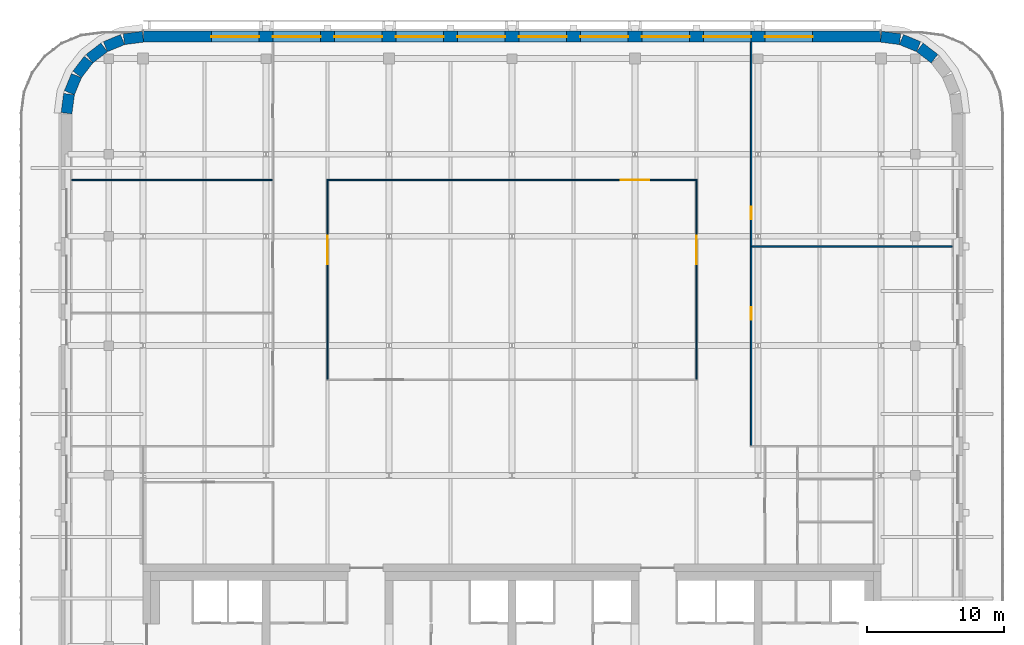
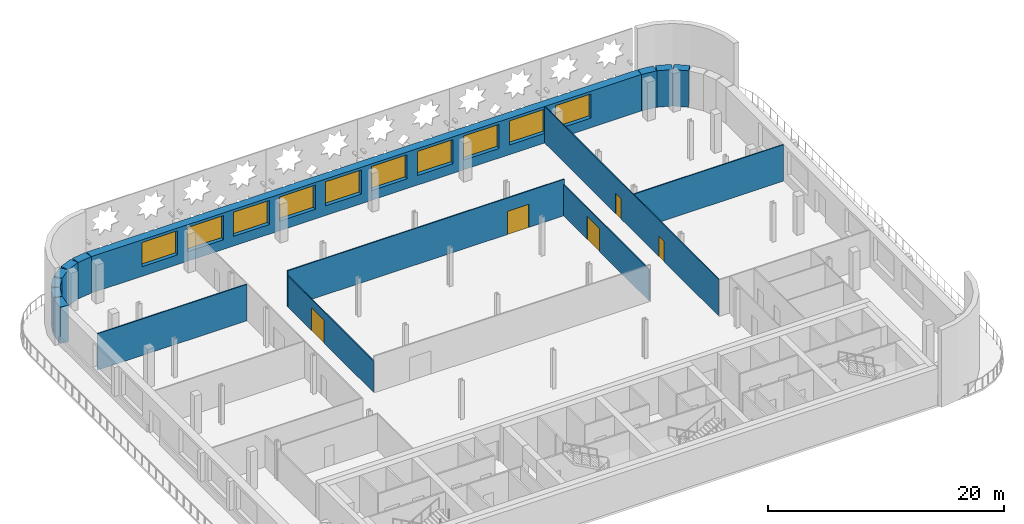
# One storey, part 10 of 15: 16 walls, 10 windows, 5 doors, 15 openings.
"""IFC4 building model written with IfcOpenShell, lengths in metres."""

from ifc_helpers import new_model, si_unit, direction, frame, frame_2d, origin, place, context, subcontext, project, spatial, rectangle, extrude, material, layer, layer_set, type_object, element, fill, save


model = new_model("IFC4")

# Units and contexts
model_context = context("Model", 3, precision=1e-05, world=origin(), true_north=direction((0.0, 1.0)))
body_context = subcontext(model_context, "Body", "Model", "MODEL_VIEW")
ifc_project = project(units=[si_unit("LENGTHUNIT", "METRE"), si_unit("AREAUNIT", "SQUARE_METRE"), si_unit("VOLUMEUNIT", "CUBIC_METRE"), si_unit("PLANEANGLEUNIT", "RADIAN"), si_unit("MASSUNIT", "GRAM", prefix="KILO")], contexts=[model_context])

# Site, building, storey
site_placement = place(None, origin())
site = spatial("IfcSite", under=ifc_project, at=site_placement, CompositionType="ELEMENT")
building_placement = place(site_placement, origin())
building = spatial("IfcBuilding", under=site, at=building_placement, Name="Zellij Exchange Tower", CompositionType="ELEMENT")
storey_placement = place(building_placement, frame((0.0, 0.0, 284.5)))
storey = spatial("IfcBuildingStorey", under=building, at=storey_placement, Name="L67", CompositionType="ELEMENT", Elevation=284.5)

# Walls
ifc_material_1 = material(Name="Precast concrete C40/50", Category="concrete")
ifc_layer_1 = layer(ifc_material_1, 0.800048828125)
ifc_layer_set_1 = layer_set([ifc_layer_1], Name="Precast concrete C40/50")
wall_type_1 = type_object("IfcWallType", Name="ENV-EW1 Precast stone-piered wall 800", PredefinedType="SOLIDWALL", material=ifc_layer_set_1)
wall_1_placement = place(storey_placement, frame((30.91552734375, 34.9892578125, 0.0), z_axis=(0.0, 0.0, 1.0), x_axis=(-0.793272915452, 0.608866226366, 0.0)))
element("IfcWall", 1, at=wall_1_placement, inside=storey, type_object=wall_type_1, Name="fac.L67.11", PredefinedType="SOLIDWALL", context=body_context, shape_type="SweptSolid", body=[
    extrude(rectangle(XDim=1.355712890625, YDim=0.800048828125, at=frame_2d((0.677734375, 0.0))), origin(), (0.0, 0.0, 1.0), 3.780029296875),
])
wall_2_placement = place(storey_placement, frame((29.74951171875, 35.866943359375, 0.0), z_axis=(0.0, 0.0, 1.0), x_axis=(-0.923847774587, 0.38276009378, 0.0)))
element("IfcWall", 2, at=wall_2_placement, inside=storey, type_object=wall_type_1, Name="fac.L67.12", PredefinedType="SOLIDWALL", context=body_context, shape_type="SweptSolid", body=[
    extrude(rectangle(XDim=1.35546875, YDim=0.800048828125, at=frame_2d((0.677734375, 0.0))), origin(), (0.0, 0.0, 1.0), 3.780029296875),
])
wall_3_placement = place(storey_placement, frame((28.396240234375, 36.412841796875, 0.0), z_axis=(0.0, 0.0, 1.0), x_axis=(-0.99144603414, 0.130517283865, 0.0)))
element("IfcWall", 3, at=wall_3_placement, inside=storey, type_object=wall_type_1, Name="fac.L67.13", PredefinedType="SOLIDWALL", context=body_context, shape_type="SweptSolid", body=[
    extrude(rectangle(XDim=1.408447265625, YDim=0.800048828125, at=frame_2d((0.7041015625, 0.0))), origin(), (0.0, 0.0, 1.0), 3.780029296875),
])

# Wall, openings, windows
wall_4_placement = place(storey_placement, frame((26.947509765625, 36.60009765625, 0.0), z_axis=(0.0, 0.0, 1.0), x_axis=(-1.0, 0.0, 0.0)))
wall_4 = element("IfcWall", 4, at=wall_4_placement, inside=storey, type_object=wall_type_1, Name="fac.L67.14", PredefinedType="SOLIDWALL", context=body_context, shape_type="SweptSolid", body=[
    extrude(rectangle(XDim=53.89501953125, YDim=0.800048828125, at=frame_2d((26.947509765625, 0.0))), origin(), (0.0, 0.0, 1.0), 3.780029296875),
])
opening_1_placement = place(wall_4_placement, frame((4.947509765625, 0.0, 1.0)))
opening_1 = element("IfcOpeningElement", 5, at=opening_1_placement, cuts=wall_4, Name="Opening FC2.06", PredefinedType="OPENING", context=body_context, shape_type="SweptSolid", body=[
    extrude(rectangle(XDim=3.5, YDim=2.5, at=frame_2d((1.75, 1.25))), frame((0.0, 0.412109375, 0.0), z_axis=(0.0, -1.0, 0.0), x_axis=(1.0, 0.0, 0.0)), (0.0, 0.0, 1.0), 0.823974609375),
])
opening_2_placement = place(wall_4_placement, frame((9.447509765625, 0.0, 1.0)))
opening_2 = element("IfcOpeningElement", 6, at=opening_2_placement, cuts=wall_4, Name="Opening FC2.07", PredefinedType="OPENING", context=body_context, shape_type="SweptSolid", body=[
    extrude(rectangle(XDim=3.5, YDim=2.5, at=frame_2d((1.75, 1.25))), frame((0.0, 0.412109375, 0.0), z_axis=(0.0, -1.0, 0.0), x_axis=(1.0, 0.0, 0.0)), (0.0, 0.0, 1.0), 0.823974609375),
])
opening_3_placement = place(wall_4_placement, frame((13.947509765625, 0.0, 1.0)))
opening_3 = element("IfcOpeningElement", 7, at=opening_3_placement, cuts=wall_4, Name="Opening FC2.08", PredefinedType="OPENING", context=body_context, shape_type="SweptSolid", body=[
    extrude(rectangle(XDim=3.5, YDim=2.5, at=frame_2d((1.75, 1.25))), frame((0.0, 0.412109375, 0.0), z_axis=(0.0, -1.0, 0.0), x_axis=(1.0, 0.0, 0.0)), (0.0, 0.0, 1.0), 0.823974609375),
])
opening_4_placement = place(wall_4_placement, frame((18.447509765625, 0.0, 1.0)))
opening_4 = element("IfcOpeningElement", 8, at=opening_4_placement, cuts=wall_4, Name="Opening FC2.09", PredefinedType="OPENING", context=body_context, shape_type="SweptSolid", body=[
    extrude(rectangle(XDim=3.5, YDim=2.5, at=frame_2d((1.75, 1.25))), frame((0.0, 0.412109375, 0.0), z_axis=(0.0, -1.0, 0.0), x_axis=(1.0, 0.0, 0.0)), (0.0, 0.0, 1.0), 0.823974609375),
])
opening_5_placement = place(wall_4_placement, frame((22.947509765625, 0.0, 1.0)))
opening_5 = element("IfcOpeningElement", 9, at=opening_5_placement, cuts=wall_4, Name="Opening FC2.10", PredefinedType="OPENING", context=body_context, shape_type="SweptSolid", body=[
    extrude(rectangle(XDim=3.5, YDim=2.5, at=frame_2d((1.75, 1.25))), frame((0.0, 0.412109375, 0.0), z_axis=(0.0, -1.0, 0.0), x_axis=(1.0, 0.0, 0.0)), (0.0, 0.0, 1.0), 0.823974609375),
])
opening_6_placement = place(wall_4_placement, frame((27.447509765625, 0.0, 1.0)))
opening_6 = element("IfcOpeningElement", 10, at=opening_6_placement, cuts=wall_4, Name="Opening FC2.11", PredefinedType="OPENING", context=body_context, shape_type="SweptSolid", body=[
    extrude(rectangle(XDim=3.5, YDim=2.5, at=frame_2d((1.75, 1.25))), frame((0.0, 0.412109375, 0.0), z_axis=(0.0, -1.0, 0.0), x_axis=(1.0, 0.0, 0.0)), (0.0, 0.0, 1.0), 0.823974609375),
])
opening_7_placement = place(wall_4_placement, frame((31.947509765625, 0.0, 1.0)))
opening_7 = element("IfcOpeningElement", 11, at=opening_7_placement, cuts=wall_4, Name="Opening FC2.12", PredefinedType="OPENING", context=body_context, shape_type="SweptSolid", body=[
    extrude(rectangle(XDim=3.5, YDim=2.5, at=frame_2d((1.75, 1.25))), frame((0.0, 0.412109375, 0.0), z_axis=(0.0, -1.0, 0.0), x_axis=(1.0, 0.0, 0.0)), (0.0, 0.0, 1.0), 0.823974609375),
])
opening_8_placement = place(wall_4_placement, frame((36.447509765625, 0.0, 1.0)))
opening_8 = element("IfcOpeningElement", 12, at=opening_8_placement, cuts=wall_4, Name="Opening FC2.13", PredefinedType="OPENING", context=body_context, shape_type="SweptSolid", body=[
    extrude(rectangle(XDim=3.5, YDim=2.5, at=frame_2d((1.75, 1.25))), frame((0.0, 0.412109375, 0.0), z_axis=(0.0, -1.0, 0.0), x_axis=(1.0, 0.0, 0.0)), (0.0, 0.0, 1.0), 0.823974609375),
])
opening_9_placement = place(wall_4_placement, frame((40.947509765625, 0.0, 1.0)))
opening_9 = element("IfcOpeningElement", 13, at=opening_9_placement, cuts=wall_4, Name="Opening FC2.14", PredefinedType="OPENING", context=body_context, shape_type="SweptSolid", body=[
    extrude(rectangle(XDim=3.5, YDim=2.5, at=frame_2d((1.75, 1.25))), frame((0.0, 0.412109375, 0.0), z_axis=(0.0, -1.0, 0.0), x_axis=(1.0, 0.0, 0.0)), (0.0, 0.0, 1.0), 0.823974609375),
])
opening_10_placement = place(wall_4_placement, frame((45.447509765625, 0.0, 1.0)))
opening_10 = element("IfcOpeningElement", 14, at=opening_10_placement, cuts=wall_4, Name="Opening FC2.15", PredefinedType="OPENING", context=body_context, shape_type="SweptSolid", body=[
    extrude(rectangle(XDim=3.5, YDim=2.5, at=frame_2d((1.75, 1.25))), frame((0.0, 0.412109375, 0.0), z_axis=(0.0, -1.0, 0.0), x_axis=(1.0, 0.0, 0.0)), (0.0, 0.0, 1.0), 0.823974609375),
])
ifc_material_2 = material(Name="Aluminium frame with insulating glass", Category="aluminium")
window_type = type_object("IfcWindowType", Name="ENV-W1 Window 3500x2500", PartitioningType="SINGLE_PANEL", PredefinedType="WINDOW", material=ifc_material_2)
window_1_placement = place(opening_1_placement, origin())
window_1 = element("IfcWindow", 15, at=window_1_placement, inside=storey, type_object=window_type, Name="Window FC2.06", OverallHeight=2.5, OverallWidth=3.5, PartitioningType="SINGLE_PANEL", PredefinedType="WINDOW", context=body_context, shape_type="SweptSolid", body=[
    extrude(rectangle(XDim=3.5, YDim=2.5, at=frame_2d((1.75, 1.25))), frame((0.0, 0.030029296875, 0.0), z_axis=(0.0, -1.0, 0.0), x_axis=(1.0, 0.0, 0.0)), (0.0, 0.0, 1.0), 0.06005859375),
])
fill(opening_1, window_1)
window_2_placement = place(opening_2_placement, origin())
window_2 = element("IfcWindow", 16, at=window_2_placement, inside=storey, type_object=window_type, Name="Window FC2.07", OverallHeight=2.5, OverallWidth=3.5, PartitioningType="SINGLE_PANEL", PredefinedType="WINDOW", context=body_context, shape_type="SweptSolid", body=[
    extrude(rectangle(XDim=3.5, YDim=2.5, at=frame_2d((1.75, 1.25))), frame((0.0, 0.030029296875, 0.0), z_axis=(0.0, -1.0, 0.0), x_axis=(1.0, 0.0, 0.0)), (0.0, 0.0, 1.0), 0.06005859375),
])
fill(opening_2, window_2)
window_3_placement = place(opening_3_placement, origin())
window_3 = element("IfcWindow", 17, at=window_3_placement, inside=storey, type_object=window_type, Name="Window FC2.08", OverallHeight=2.5, OverallWidth=3.5, PartitioningType="SINGLE_PANEL", PredefinedType="WINDOW", context=body_context, shape_type="SweptSolid", body=[
    extrude(rectangle(XDim=3.5, YDim=2.5, at=frame_2d((1.75, 1.25))), frame((0.0, 0.030029296875, 0.0), z_axis=(0.0, -1.0, 0.0), x_axis=(1.0, 0.0, 0.0)), (0.0, 0.0, 1.0), 0.06005859375),
])
fill(opening_3, window_3)
window_4_placement = place(opening_4_placement, origin())
window_4 = element("IfcWindow", 18, at=window_4_placement, inside=storey, type_object=window_type, Name="Window FC2.09", OverallHeight=2.5, OverallWidth=3.5, PartitioningType="SINGLE_PANEL", PredefinedType="WINDOW", context=body_context, shape_type="SweptSolid", body=[
    extrude(rectangle(XDim=3.5, YDim=2.5, at=frame_2d((1.75, 1.25))), frame((0.0, 0.030029296875, 0.0), z_axis=(0.0, -1.0, 0.0), x_axis=(1.0, 0.0, 0.0)), (0.0, 0.0, 1.0), 0.06005859375),
])
fill(opening_4, window_4)
window_5_placement = place(opening_5_placement, origin())
window_5 = element("IfcWindow", 19, at=window_5_placement, inside=storey, type_object=window_type, Name="Window FC2.10", OverallHeight=2.5, OverallWidth=3.5, PartitioningType="SINGLE_PANEL", PredefinedType="WINDOW", context=body_context, shape_type="SweptSolid", body=[
    extrude(rectangle(XDim=3.5, YDim=2.5, at=frame_2d((1.75, 1.25))), frame((0.0, 0.030029296875, 0.0), z_axis=(0.0, -1.0, 0.0), x_axis=(1.0, 0.0, 0.0)), (0.0, 0.0, 1.0), 0.06005859375),
])
fill(opening_5, window_5)
window_6_placement = place(opening_6_placement, origin())
window_6 = element("IfcWindow", 20, at=window_6_placement, inside=storey, type_object=window_type, Name="Window FC2.11", OverallHeight=2.5, OverallWidth=3.5, PartitioningType="SINGLE_PANEL", PredefinedType="WINDOW", context=body_context, shape_type="SweptSolid", body=[
    extrude(rectangle(XDim=3.5, YDim=2.5, at=frame_2d((1.75, 1.25))), frame((0.0, 0.030029296875, 0.0), z_axis=(0.0, -1.0, 0.0), x_axis=(1.0, 0.0, 0.0)), (0.0, 0.0, 1.0), 0.06005859375),
])
fill(opening_6, window_6)
window_7_placement = place(opening_7_placement, origin())
window_7 = element("IfcWindow", 21, at=window_7_placement, inside=storey, type_object=window_type, Name="Window FC2.12", OverallHeight=2.5, OverallWidth=3.5, PartitioningType="SINGLE_PANEL", PredefinedType="WINDOW", context=body_context, shape_type="SweptSolid", body=[
    extrude(rectangle(XDim=3.5, YDim=2.5, at=frame_2d((1.75, 1.25))), frame((0.0, 0.030029296875, 0.0), z_axis=(0.0, -1.0, 0.0), x_axis=(1.0, 0.0, 0.0)), (0.0, 0.0, 1.0), 0.06005859375),
])
fill(opening_7, window_7)
window_8_placement = place(opening_8_placement, origin())
window_8 = element("IfcWindow", 22, at=window_8_placement, inside=storey, type_object=window_type, Name="Window FC2.13", OverallHeight=2.5, OverallWidth=3.5, PartitioningType="SINGLE_PANEL", PredefinedType="WINDOW", context=body_context, shape_type="SweptSolid", body=[
    extrude(rectangle(XDim=3.5, YDim=2.5, at=frame_2d((1.75, 1.25))), frame((0.0, 0.030029296875, 0.0), z_axis=(0.0, -1.0, 0.0), x_axis=(1.0, 0.0, 0.0)), (0.0, 0.0, 1.0), 0.06005859375),
])
fill(opening_8, window_8)
window_9_placement = place(opening_9_placement, origin())
window_9 = element("IfcWindow", 23, at=window_9_placement, inside=storey, type_object=window_type, Name="Window FC2.14", OverallHeight=2.5, OverallWidth=3.5, PartitioningType="SINGLE_PANEL", PredefinedType="WINDOW", context=body_context, shape_type="SweptSolid", body=[
    extrude(rectangle(XDim=3.5, YDim=2.5, at=frame_2d((1.75, 1.25))), frame((0.0, 0.030029296875, 0.0), z_axis=(0.0, -1.0, 0.0), x_axis=(1.0, 0.0, 0.0)), (0.0, 0.0, 1.0), 0.06005859375),
])
fill(opening_9, window_9)
window_10_placement = place(opening_10_placement, origin())
window_10 = element("IfcWindow", 24, at=window_10_placement, inside=storey, type_object=window_type, Name="Window FC2.15", OverallHeight=2.5, OverallWidth=3.5, PartitioningType="SINGLE_PANEL", PredefinedType="WINDOW", context=body_context, shape_type="SweptSolid", body=[
    extrude(rectangle(XDim=3.5, YDim=2.5, at=frame_2d((1.75, 1.25))), frame((0.0, 0.030029296875, 0.0), z_axis=(0.0, -1.0, 0.0), x_axis=(1.0, 0.0, 0.0)), (0.0, 0.0, 1.0), 0.06005859375),
])
fill(opening_10, window_10)

# Walls
wall_5_placement = place(storey_placement, frame((-26.999755859375, 36.5966796875, 0.0), z_axis=(0.0, 0.0, 1.0), x_axis=(-0.99144603414, -0.130517283865, 0.0)))
element("IfcWall", 25, at=wall_5_placement, inside=storey, type_object=wall_type_1, Name="fac.L67.15", PredefinedType="SOLIDWALL", context=body_context, shape_type="SweptSolid", body=[
    extrude(rectangle(XDim=1.408447265625, YDim=0.800048828125, at=frame_2d((0.7041015625, 0.0))), origin(), (0.0, 0.0, 1.0), 3.780029296875),
])
wall_6_placement = place(storey_placement, frame((-28.497314453125, 36.3857421875, 0.0), z_axis=(0.0, 0.0, 1.0), x_axis=(-0.923847774587, -0.38276009378, 0.0)))
element("IfcWall", 26, at=wall_6_placement, inside=storey, type_object=wall_type_1, Name="fac.L67.16", PredefinedType="SOLIDWALL", context=body_context, shape_type="SweptSolid", body=[
    extrude(rectangle(XDim=1.35546875, YDim=0.800048828125, at=frame_2d((0.677734375, 0.0))), origin(), (0.0, 0.0, 1.0), 3.780029296875),
])
for number, where, z_axis, x_axis, name in (
    (27, (-29.840087890625, 35.814697265625, 0.0), (0.0, 0.0, 1.0), (-0.793272915452, -0.608866226366, 0.0), "fac.L67.17"),
    (28, (-30.9892578125, 34.91552734375, 0.0), (0.0, 0.0, 1.0), (-0.608866226366, -0.793272915452, 0.0), "fac.L67.18"),
):
    element("IfcWall", number, at=place(storey_placement, frame(where, z_axis=z_axis, x_axis=x_axis)), inside=storey, type_object=wall_type_1, Name=name, PredefinedType="SOLIDWALL", context=body_context, shape_type="SweptSolid", body=[
        extrude(rectangle(XDim=1.355712890625, YDim=0.800048828125, at=frame_2d((0.677734375, 0.0))), origin(), (0.0, 0.0, 1.0), 3.780029296875),
    ])
wall_7_placement = place(storey_placement, frame((-31.866943359375, 33.74951171875, 0.0), z_axis=(0.0, 0.0, 1.0), x_axis=(-0.38276009378, -0.923847774587, 0.0)))
element("IfcWall", 29, at=wall_7_placement, inside=storey, type_object=wall_type_1, Name="fac.L67.19", PredefinedType="SOLIDWALL", context=body_context, shape_type="SweptSolid", body=[
    extrude(rectangle(XDim=1.35546875, YDim=0.800048828125, at=frame_2d((0.677734375, 0.0))), origin(), (0.0, 0.0, 1.0), 3.780029296875),
])
wall_8_placement = place(storey_placement, frame((-32.412841796875, 32.396240234375, 0.0), z_axis=(0.0, 0.0, 1.0), x_axis=(-0.130517283865, -0.99144603414, 0.0)))
element("IfcWall", 30, at=wall_8_placement, inside=storey, type_object=wall_type_1, Name="fac.L67.20", PredefinedType="SOLIDWALL", context=body_context, shape_type="SweptSolid", body=[
    extrude(rectangle(XDim=1.408447265625, YDim=0.800048828125, at=frame_2d((0.7041015625, 0.0))), origin(), (0.0, 0.0, 1.0), 3.780029296875),
])

# Wall, openings, doors
ifc_material_3 = material(Name="Gypsum board partition on steel studs", Category="steel")
ifc_layer_2 = layer(ifc_material_3, 0.10009765625)
ifc_layer_set_2 = layer_set([ifc_layer_2], Name="Gypsum board partition on steel studs")
wall_type_2 = type_object("IfcWallType", Name="FIT-PARTITION-100", PredefinedType="PARTITIONING", material=ifc_layer_set_2)
wall_9_placement = place(storey_placement, frame((17.5, 6.679931640625, 0.0), z_axis=(0.0, 0.0, 1.0), x_axis=(0.0, 1.0, 0.0)))
wall_9 = element("IfcWall", 31, at=wall_9_placement, inside=storey, type_object=wall_type_2, Name="FIT-PARTITION-100 013", PredefinedType="PARTITIONING", context=body_context, shape_type="SweptSolid", body=[
    extrude(rectangle(XDim=29.52001953125, YDim=0.10009765625, at=frame_2d((14.760009765625, 0.0))), origin(), (0.0, 0.0, 1.0), 3.780029296875),
])
opening_11_placement = place(wall_9_placement, frame((9.219970703125, 0.0, 0.0)))
opening_11 = element("IfcOpeningElement", 32, at=opening_11_placement, cuts=wall_9, Name="Opening EX4.08", PredefinedType="OPENING", context=body_context, shape_type="SweptSolid", body=[
    extrude(rectangle(XDim=0.89990234375, YDim=2.10009765625, at=frame_2d((0.449951171875, 1.050048828125))), frame((0.0, 0.06201171875, 0.0), z_axis=(0.0, -1.0, 0.0), x_axis=(1.0, 0.0, 0.0)), (0.0, 0.0, 1.0), 0.1240234375),
])
opening_12_placement = place(wall_9_placement, frame((16.56005859375, 0.0, 0.0)))
opening_12 = element("IfcOpeningElement", 33, at=opening_12_placement, cuts=wall_9, Name="Opening EX4.12", PredefinedType="OPENING", context=body_context, shape_type="SweptSolid", body=[
    extrude(rectangle(XDim=0.89990234375, YDim=2.10009765625, at=frame_2d((0.449951171875, 1.050048828125))), frame((0.0, 0.06201171875, 0.0), z_axis=(0.0, -1.0, 0.0), x_axis=(1.0, 0.0, 0.0)), (0.0, 0.0, 1.0), 0.1240234375),
])
ifc_material_4 = material(Name="Timber door set", Category="wood")
door_type_1 = type_object("IfcDoorType", Name="FIT-D1-ROOM-900X2100", OperationType="SINGLE_SWING_LEFT", PredefinedType="DOOR", material=ifc_material_4)
door_1_placement = place(opening_11_placement, origin())
door_1 = element("IfcDoor", 34, at=door_1_placement, inside=storey, type_object=door_type_1, Name="Door EX4.08", OperationType="SINGLE_SWING_RIGHT", OverallHeight=2.10009765625, OverallWidth=0.89990234375, PredefinedType="DOOR", context=body_context, shape_type="SweptSolid", body=[
    extrude(rectangle(XDim=0.89990234375, YDim=2.10009765625, at=frame_2d((0.449951171875, 1.050048828125))), frame((0.0, 0.02490234375, 0.0), z_axis=(0.0, -1.0, 0.0), x_axis=(1.0, 0.0, 0.0)), (0.0, 0.0, 1.0), 0.050048828125),
])
fill(opening_11, door_1)
door_2_placement = place(opening_12_placement, origin())
door_2 = element("IfcDoor", 35, at=door_2_placement, inside=storey, type_object=door_type_1, Name="Door EX4.12", OperationType="SINGLE_SWING_LEFT", OverallHeight=2.10009765625, OverallWidth=0.89990234375, PredefinedType="DOOR", context=body_context, shape_type="SweptSolid", body=[
    extrude(rectangle(XDim=0.89990234375, YDim=2.10009765625, at=frame_2d((0.449951171875, 1.050048828125))), frame((0.0, 0.02490234375, 0.0), z_axis=(0.0, -1.0, 0.0), x_axis=(1.0, 0.0, 0.0)), (0.0, 0.0, 1.0), 0.050048828125),
])
fill(opening_12, door_2)

# Wall, opening, door
wall_10_placement = place(storey_placement, frame((-13.5, 11.550048828125, 0.0), z_axis=(0.0, 0.0, 1.0), x_axis=(0.0, 1.0, 0.0)))
wall_10 = element("IfcWall", 36, at=wall_10_placement, inside=storey, type_object=wall_type_2, Name="FIT-PARTITION-100 015", PredefinedType="PARTITIONING", context=body_context, shape_type="SweptSolid", body=[
    extrude(rectangle(XDim=14.510009765625, YDim=0.10009765625, at=frame_2d((7.2548828125, 0.0))), origin(), (0.0, 0.0, 1.0), 3.24658203125),
])
opening_13_placement = place(wall_10_placement, frame((8.39990234375, 0.0, 0.0)))
opening_13 = element("IfcOpeningElement", 37, at=opening_13_placement, cuts=wall_10, Name="Opening EX4.10", PredefinedType="OPENING", context=body_context, shape_type="SweptSolid", body=[
    extrude(rectangle(XDim=2.10009765625, YDim=2.39990234375, at=frame_2d((1.050048828125, 1.199951171875))), frame((0.0, 0.06201171875, 0.0), z_axis=(0.0, -1.0, 0.0), x_axis=(1.0, 0.0, 0.0)), (0.0, 0.0, 1.0), 0.1240234375),
])
door_type_2 = type_object("IfcDoorType", Name="FIT-D7-ASSEMBLY-2100X2400", OperationType="DOUBLE_DOOR_SINGLE_SWING", PredefinedType="DOOR", material=ifc_material_4)
door_3_placement = place(opening_13_placement, origin())
door_3 = element("IfcDoor", 38, at=door_3_placement, inside=storey, type_object=door_type_2, Name="Door EX4.10", OperationType="DOUBLE_DOOR_SINGLE_SWING", OverallHeight=2.39990234375, OverallWidth=2.10009765625, PredefinedType="DOOR", context=body_context, shape_type="SweptSolid", body=[
    extrude(rectangle(XDim=2.10009765625, YDim=2.39990234375, at=frame_2d((1.050048828125, 1.199951171875))), frame((0.0, 0.02490234375, 0.0), z_axis=(0.0, -1.0, 0.0), x_axis=(1.0, 0.0, 0.0)), (0.0, 0.0, 1.0), 0.050048828125),
])
fill(opening_13, door_3)

wall_11_placement = place(storey_placement, frame((13.5, 11.550048828125, 0.0), z_axis=(0.0, 0.0, 1.0), x_axis=(0.0, 1.0, 0.0)))
wall_11 = element("IfcWall", 39, at=wall_11_placement, inside=storey, type_object=wall_type_2, Name="FIT-PARTITION-100 016", PredefinedType="PARTITIONING", context=body_context, shape_type="SweptSolid", body=[
    extrude(rectangle(XDim=14.510009765625, YDim=0.10009765625, at=frame_2d((7.2548828125, 0.0))), origin(), (0.0, 0.0, 1.0), 3.24658203125),
])
opening_14_placement = place(wall_11_placement, frame((8.39990234375, 0.0, 0.0)))
opening_14 = element("IfcOpeningElement", 40, at=opening_14_placement, cuts=wall_11, Name="Opening EX4.11", PredefinedType="OPENING", context=body_context, shape_type="SweptSolid", body=[
    extrude(rectangle(XDim=2.10009765625, YDim=2.39990234375, at=frame_2d((1.050048828125, 1.199951171875))), frame((0.0, 0.06201171875, 0.0), z_axis=(0.0, -1.0, 0.0), x_axis=(1.0, 0.0, 0.0)), (0.0, 0.0, 1.0), 0.1240234375),
])
door_4_placement = place(opening_14_placement, origin())
door_4 = element("IfcDoor", 41, at=door_4_placement, inside=storey, type_object=door_type_2, Name="Door EX4.11", OperationType="DOUBLE_DOOR_SINGLE_SWING", OverallHeight=2.39990234375, OverallWidth=2.10009765625, PredefinedType="DOOR", context=body_context, shape_type="SweptSolid", body=[
    extrude(rectangle(XDim=2.10009765625, YDim=2.39990234375, at=frame_2d((1.050048828125, 1.199951171875))), frame((0.0, 0.02490234375, 0.0), z_axis=(0.0, -1.0, 0.0), x_axis=(1.0, 0.0, 0.0)), (0.0, 0.0, 1.0), 0.050048828125),
])
fill(opening_14, door_4)

# Walls
for number, where, z_axis, x_axis, name in (
    (42, (17.550048828125, 21.239990234375, 0.0), (0.0, 0.0, 1.0), (1.0, 0.0, 0.0), "FIT-PARTITION-100 018"),
    (43, (-32.199951171875, 26.110107421875, 0.0), (0.0, 0.0, 1.0), (1.0, 0.0, 0.0), "FIT-PARTITION-100 019"),
):
    element("IfcWall", number, at=place(storey_placement, frame(where, z_axis=z_axis, x_axis=x_axis)), inside=storey, type_object=wall_type_2, Name=name, PredefinedType="PARTITIONING", context=body_context, shape_type="SweptSolid", body=[
        extrude(rectangle(XDim=14.64990234375, YDim=0.10009765625, at=frame_2d((7.324951171875, 0.0))), origin(), (0.0, 0.0, 1.0), 3.780029296875),
    ])

# Wall, opening, door
wall_12_placement = place(storey_placement, frame((-13.550048828125, 26.110107421875, 0.0), z_axis=(0.0, 0.0, 1.0), x_axis=(1.0, 0.0, 0.0)))
wall_12 = element("IfcWall", 44, at=wall_12_placement, inside=storey, type_object=wall_type_2, Name="FIT-PARTITION-100 020", PredefinedType="PARTITIONING", context=body_context, shape_type="SweptSolid", body=[
    extrude(rectangle(XDim=27.10009765625, YDim=0.10009765625, at=frame_2d((13.550048828125, 0.0))), origin(), (0.0, 0.0, 1.0), 3.780029296875),
])
opening_15_placement = place(wall_12_placement, frame((21.5, 0.0, 0.0)))
opening_15 = element("IfcOpeningElement", 45, at=opening_15_placement, cuts=wall_12, Name="Opening EX4.13", PredefinedType="OPENING", context=body_context, shape_type="SweptSolid", body=[
    extrude(rectangle(XDim=2.10009765625, YDim=2.39990234375, at=frame_2d((1.050048828125, 1.199951171875))), frame((0.0, 0.06201171875, 0.0), z_axis=(0.0, -1.0, 0.0), x_axis=(1.0, 0.0, 0.0)), (0.0, 0.0, 1.0), 0.1240234375),
])
door_5_placement = place(opening_15_placement, origin())
door_5 = element("IfcDoor", 46, at=door_5_placement, inside=storey, type_object=door_type_2, Name="Door EX4.13", OperationType="DOUBLE_DOOR_SINGLE_SWING", OverallHeight=2.39990234375, OverallWidth=2.10009765625, PredefinedType="DOOR", context=body_context, shape_type="SweptSolid", body=[
    extrude(rectangle(XDim=2.10009765625, YDim=2.39990234375, at=frame_2d((1.050048828125, 1.199951171875))), frame((0.0, 0.02490234375, 0.0), z_axis=(0.0, -1.0, 0.0), x_axis=(1.0, 0.0, 0.0)), (0.0, 0.0, 1.0), 0.050048828125),
])
fill(opening_15, door_5)

save(model, "model.ifc")
